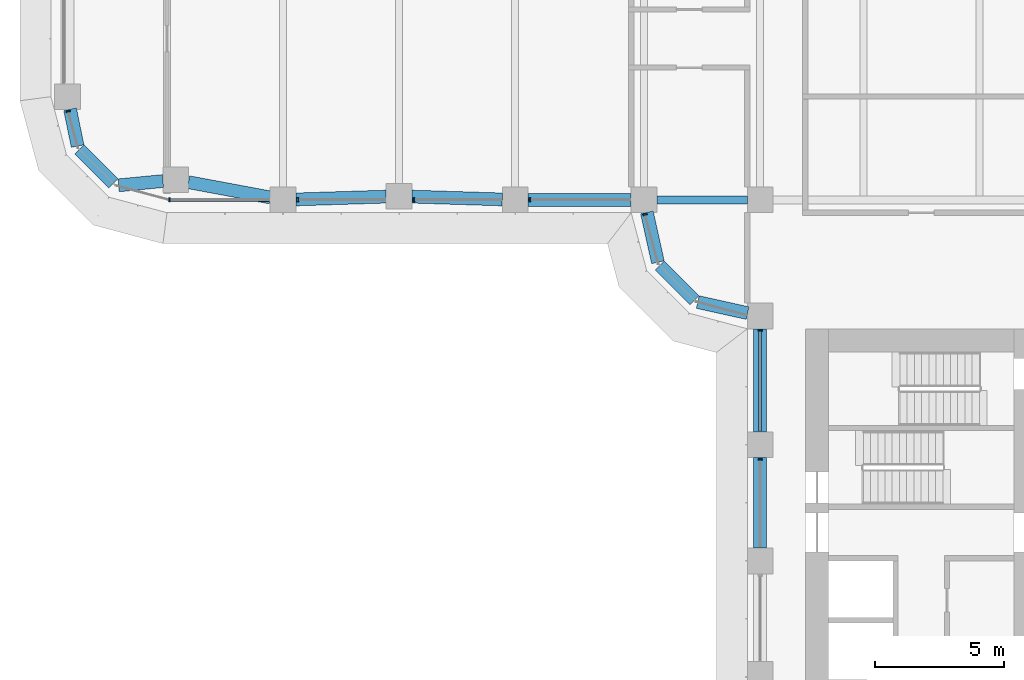
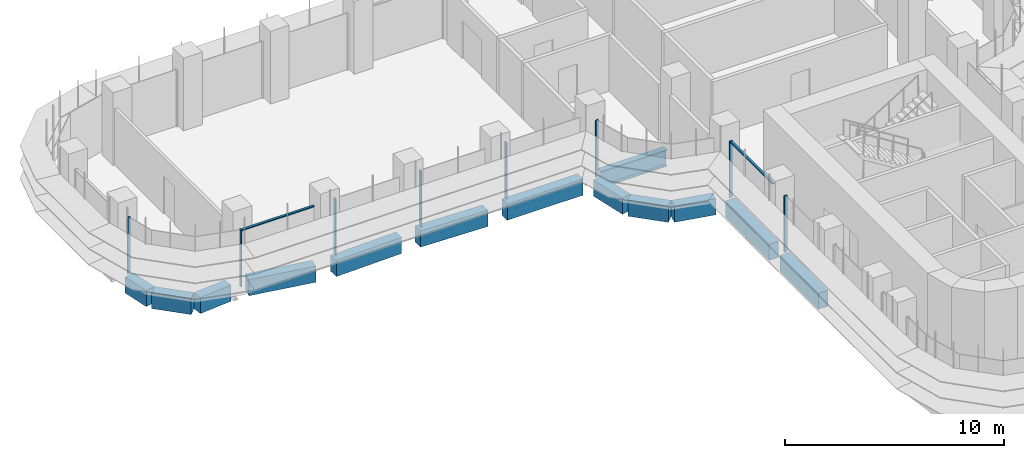
# One storey, part 3 of 23: 13 beams, 10 members, 4 elements without a shape of their own.
"""IFC4 building model written with IfcOpenShell, lengths in metres."""

from ifc_helpers import new_model, si_unit, direction, frame, origin, origin_2d, place, context, subcontext, project, spatial, polyline, rectangle, i_section, outline, extrude, source, transform, mapped, material, material_profile, profile_set, type_object, element, aggregate, save


model = new_model("IFC4")

# Units and contexts
model_context = context("Model", 3, precision=1e-05, world=origin(), true_north=direction((0.0, 1.0)))
body_context = subcontext(model_context, "Body", "Model", "MODEL_VIEW")
ifc_project = project(units=[si_unit("LENGTHUNIT", "METRE"), si_unit("AREAUNIT", "SQUARE_METRE"), si_unit("VOLUMEUNIT", "CUBIC_METRE"), si_unit("PLANEANGLEUNIT", "RADIAN"), si_unit("MASSUNIT", "GRAM", prefix="KILO")], contexts=[model_context])

# Site, building, storey
site_placement = place(None, origin())
site = spatial("IfcSite", under=ifc_project, at=site_placement, CompositionType="ELEMENT")
building_placement = place(site_placement, origin())
building = spatial("IfcBuilding", under=site, at=building_placement, Name="Zarbagh Exchange Tower", CompositionType="ELEMENT")
storey_placement = place(building_placement, frame((0.0, 0.0, 73.199951171875)))
storey = spatial("IfcBuildingStorey", under=building, at=storey_placement, Name="L16", CompositionType="ELEMENT", Elevation=73.199951171875)

# Beams
ifc_material_1 = material(Name="Steel ASTM A992 Gr 50", Category="steel")
ifc_material_profile_1 = material_profile(ifc_material_1, i_section(OverallWidth=0.3046875, OverallDepth=0.91943359375, WebThickness=0.017333984375, FlangeThickness=0.02783203125, at=origin_2d()), Name="W36X170")
ifc_profile_set_1 = profile_set([ifc_material_profile_1], Name="Steel ASTM A992 Gr 50")
beam_type_1 = type_object("IfcBeamType", Name="Floor girder W36X170", PredefinedType="BEAM", material=ifc_profile_set_1)
beam_1_placement = place(storey_placement, frame((-10.25, -6.25, -0.609619140625), z_axis=(1.0, 0.0, 0.0), x_axis=(0.0, 1.0, 0.0)))
element("IfcBeam", 1, at=beam_1_placement, inside=storey, type_object=beam_type_1, Name="Steel girder", PredefinedType="BEAM", context=body_context, shape_type="SweptSolid", body=[
    extrude(i_section(OverallWidth=0.3046875, OverallDepth=0.91943359375, WebThickness=0.017333984375, FlangeThickness=0.02783203125, at=origin_2d()), origin(), (0.0, 0.0, 1.0), 3.5),
])
ifc_material_2 = material(Name="Concrete C60/75", Category="concrete")
ifc_material_profile_2 = material_profile(ifc_material_2, rectangle(XDim=0.5, YDim=0.89990234375, at=origin_2d()), Name="RC spandrel beam 500 x 900 C60/75")
ifc_profile_set_2 = profile_set([ifc_material_profile_2], Name="Concrete C60/75")
beam_type_2 = type_object("IfcBeamType", Name="RC spandrel beam 500 x 900 C60/75", PredefinedType="SPANDREL", material=ifc_profile_set_2)
beam_2_placement = place(storey_placement, frame((-6.25, -19.75, -0.599853515625), z_axis=(0.0, 1.0, 0.0), x_axis=(-1.0, 0.0, 0.0)))
element("IfcBeam", 2, at=beam_2_placement, inside=storey, type_object=beam_type_2, Name="RC spandrel beam", PredefinedType="SPANDREL", context=body_context, shape_type="SweptSolid", body=[
    extrude(rectangle(XDim=0.5, YDim=0.89990234375, at=origin_2d()), origin(), (0.0, 0.0, 1.0), 3.5),
])
beam_3_placement = place(storey_placement, frame((-6.25, -15.25, -0.599853515625), z_axis=(0.0, 1.0, 0.0), x_axis=(-1.0, 0.0, 0.0)))
element("IfcBeam", 3, at=beam_3_placement, inside=storey, type_object=beam_type_2, Name="RC spandrel beam", PredefinedType="SPANDREL", context=body_context, shape_type="SweptSolid", body=[
    extrude(rectangle(XDim=0.5, YDim=0.89990234375, at=origin_2d()), origin(), (0.0, 0.0, 1.0), 4.0),
])
beam_4_placement = place(storey_placement, frame((-6.73828125, -10.64208984375, -0.599853515625), z_axis=(-0.976375426825, 0.216081063242, 0.0), x_axis=(-0.216081063242, -0.976375426825, 0.0)))
element("IfcBeam", 4, at=beam_4_placement, inside=storey, type_object=beam_type_2, Name="RC spandrel beam", PredefinedType="SPANDREL", context=body_context, shape_type="SweptSolid", body=[
    extrude(rectangle(XDim=0.5, YDim=0.89990234375, at=origin_2d()), origin(), (0.0, 0.0, 1.0), 1.978271484375),
])
beam_5_placement = place(storey_placement, frame((-8.792724609375, -10.147216796875, -0.599853515625), z_axis=(-0.707106781187, 0.707106781187, 0.0), x_axis=(-0.707106781187, -0.707106781187, 0.0)))
element("IfcBeam", 5, at=beam_5_placement, inside=storey, type_object=beam_type_2, Name="RC spandrel beam", PredefinedType="SPANDREL", context=body_context, shape_type="SweptSolid", body=[
    extrude(rectangle(XDim=0.5, YDim=0.89990234375, at=origin_2d()), origin(), (0.0, 0.0, 1.0), 1.91552734375),
])
beam_6_placement = place(storey_placement, frame((-10.214599609375, -8.669921875, -0.599853515625), z_axis=(-0.216081063242, 0.976375426825, 0.0), x_axis=(-0.976375426825, -0.216081063242, 0.0)))
element("IfcBeam", 6, at=beam_6_placement, inside=storey, type_object=beam_type_2, Name="RC spandrel beam", PredefinedType="SPANDREL", context=body_context, shape_type="SweptSolid", body=[
    extrude(rectangle(XDim=0.5, YDim=0.89990234375, at=origin_2d()), origin(), (0.0, 0.0, 1.0), 1.978271484375),
])
beam_7_placement = place(storey_placement, frame((-11.25, -6.25, -0.599853515625), z_axis=(-1.0, 0.0, 0.0), x_axis=(0.0, -1.0, 0.0)))
element("IfcBeam", 7, at=beam_7_placement, inside=storey, type_object=beam_type_2, Name="RC spandrel beam", PredefinedType="SPANDREL", context=body_context, shape_type="SweptSolid", body=[
    extrude(rectangle(XDim=0.5, YDim=0.89990234375, at=origin_2d()), origin(), (0.0, 0.0, 1.0), 4.0),
])
for number, where, z_axis, x_axis, name in (
    (8, (-16.249755859375, -6.234619140625, -0.599853515625), (-0.999514385708, 0.031160756759, 0.0), (-0.031160756759, -0.999514385708, 0.0), "RC spandrel beam"),
    (9, (-20.749755859375, -6.12548828125, -0.599853515625), (-0.999514385708, -0.031160756759, 0.0), (0.031160756759, -0.999514385708, 0.0), "RC spandrel beam"),
):
    element("IfcBeam", number, at=place(storey_placement, frame(where, z_axis=z_axis, x_axis=x_axis)), inside=storey, type_object=beam_type_2, Name=name, PredefinedType="SPANDREL", context=body_context, shape_type="SweptSolid", body=[
        extrude(rectangle(XDim=0.5, YDim=0.89990234375, at=origin_2d()), origin(), (0.0, 0.0, 1.0), 3.502197265625),
    ])
beam_8_placement = place(storey_placement, frame((-25.241455078125, -6.158447265625, -0.599853515625), z_axis=(-0.983069300761, 0.183234139565, 0.0), x_axis=(-0.183234139565, -0.983069300761, 0.0)))
element("IfcBeam", 10, at=beam_8_placement, inside=storey, type_object=beam_type_2, Name="RC spandrel beam", PredefinedType="SPANDREL", context=body_context, shape_type="SweptSolid", body=[
    extrude(rectangle(XDim=0.5, YDim=0.89990234375, at=origin_2d()), origin(), (0.0, 0.0, 1.0), 3.229736328125),
])
beam_9_placement = place(storey_placement, frame((-29.40576171875, -5.522705078125, -0.599853515625), z_axis=(-0.995431032456, -0.095483294999, 0.0), x_axis=(0.095483294999, -0.995431032456, 0.0)))
element("IfcBeam", 11, at=beam_9_placement, inside=storey, type_object=beam_type_2, Name="RC spandrel beam", PredefinedType="SPANDREL", context=body_context, shape_type="SweptSolid", body=[
    extrude(rectangle(XDim=0.5, YDim=0.89990234375, at=origin_2d()), origin(), (0.0, 0.0, 1.0), 1.725830078125),
])
beam_10_placement = place(storey_placement, frame((-31.324462890625, -5.615478515625, -0.599853515625), z_axis=(-0.707172099812, 0.707041456527, 0.0), x_axis=(-0.707041456527, -0.707172099812, 0.0)))
element("IfcBeam", 12, at=beam_10_placement, inside=storey, type_object=beam_type_2, Name="RC spandrel beam", PredefinedType="SPANDREL", context=body_context, shape_type="SweptSolid", body=[
    extrude(rectangle(XDim=0.5, YDim=0.89990234375, at=origin_2d()), origin(), (0.0, 0.0, 1.0), 1.86865234375),
])
beam_11_placement = place(storey_placement, frame((-32.714111328125, -4.16796875, -0.599853515625), z_axis=(-0.202068589164, 0.9793713725, 0.0), x_axis=(-0.9793713725, -0.202068589164, 0.0)))
element("IfcBeam", 13, at=beam_11_placement, inside=storey, type_object=beam_type_2, Name="RC spandrel beam", PredefinedType="SPANDREL", context=body_context, shape_type="SweptSolid", body=[
    extrude(rectangle(XDim=0.5, YDim=0.89990234375, at=origin_2d()), origin(), (0.0, 0.0, 1.0), 1.458251953125),
])

# Curtain wall, member
ifc_material_3 = material(Name="Anodised aluminium frame and glazing", Category="aluminium")
curtain_wall_type = type_object("IfcCurtainWallType", Name="CWA Ribbon glazing, lower zones", PredefinedType="NOTDEFINED", material=ifc_material_3)
curtain_wall_1_placement = place(storey_placement, origin())
curtain_wall_1 = element("IfcCurtainWall", 14, at=curtain_wall_1_placement, inside=storey, type_object=curtain_wall_type, Name="CWA37 curtain wall", PredefinedType="NOTDEFINED")
ifc_material_4 = material(Name="Anodised aluminium frame", Category="aluminium")
member_type_1 = type_object("IfcMemberType", Name="MUA Mullion, anodised aluminium frame", PredefinedType="MULLION", material=ifc_material_4)
shared_shape_1 = source(origin(), body_context, "Body", "SweptSolid", [
    extrude(outline(polyline([(0.0, -0.080078125), (0.06005859375, -0.080078125), (0.06005859375, 0.080078125), (0.0, 0.080078125), (0.0, -0.080078125)])), origin(), (0.0, 0.0, 1.0), 3.14990234375),
])
placement = place(storey_placement, origin())
member_1 = element("IfcMember", 15, at=placement, type_object=member_type_1, Name="CWA37 mullion 1.1", PredefinedType="MULLION", context=body_context, shape_type="MappedRepresentation", body=[
    mapped(shared_shape_1, transform((-33.087646484375, -2.7900390625, 0.0), x_axis=(0.258824779902, -0.965924289636, 0.0), y_axis=(0.965924289636, 0.258824779902, 0.0), z_axis=(0.0, 0.0, 1.0))),
])
aggregate(curtain_wall_1, [member_1])

# Curtain wall, members
curtain_wall_2_placement = place(storey_placement, origin())
curtain_wall_2 = element("IfcCurtainWall", 16, at=curtain_wall_2_placement, inside=storey, type_object=curtain_wall_type, Name="CWA40 curtain wall", PredefinedType="NOTDEFINED")
member_2 = element("IfcMember", 17, at=placement, type_object=member_type_1, Name="CWA40 mullion 1.1", PredefinedType="MULLION", context=body_context, shape_type="MappedRepresentation", body=[
    mapped(shared_shape_1, transform((-29.18408203125, -6.25, 0.0), x_axis=(1.0, 0.0, 0.0), y_axis=(0.0, 1.0, 0.0), z_axis=(0.0, 0.0, 1.0))),
])
member_3 = element("IfcMember", 18, at=placement, type_object=member_type_1, Name="CWA40 mullion 2.1", PredefinedType="MULLION", context=body_context, shape_type="MappedRepresentation", body=[
    mapped(shared_shape_1, transform((-24.2099609375, -6.25, 0.0), x_axis=(1.0, 0.0, 0.0), y_axis=(0.0, 1.0, 0.0), z_axis=(0.0, 0.0, 1.0))),
])
member_4 = element("IfcMember", 19, at=placement, type_object=member_type_1, Name="CWA40 mullion 3.1", PredefinedType="MULLION", context=body_context, shape_type="MappedRepresentation", body=[
    mapped(shared_shape_1, transform((-19.7099609375, -6.25, 0.0), x_axis=(1.0, 0.0, 0.0), y_axis=(0.0, 1.0, 0.0), z_axis=(0.0, 0.0, 1.0))),
])
member_5 = element("IfcMember", 20, at=placement, type_object=member_type_1, Name="CWA40 mullion 4.1", PredefinedType="MULLION", context=body_context, shape_type="MappedRepresentation", body=[
    mapped(shared_shape_1, transform((-15.2099609375, -6.25, 0.0), x_axis=(1.0, 0.0, 0.0), y_axis=(0.0, 1.0, 0.0), z_axis=(0.0, 0.0, 1.0))),
])

# Curtain wall, member
curtain_wall_3_placement = place(storey_placement, origin())
curtain_wall_3 = element("IfcCurtainWall", 21, at=curtain_wall_3_placement, inside=storey, type_object=curtain_wall_type, Name="CWA41 curtain wall", PredefinedType="NOTDEFINED")
member_6 = element("IfcMember", 22, at=placement, type_object=member_type_1, Name="CWA41 mullion 1.1", PredefinedType="MULLION", context=body_context, shape_type="MappedRepresentation", body=[
    mapped(shared_shape_1, transform((-10.7216796875, -6.7900390625, 0.0), x_axis=(0.258824779902, -0.965924289636, 0.0), y_axis=(0.965924289636, 0.258824779902, 0.0), z_axis=(0.0, 0.0, 1.0))),
])
aggregate(curtain_wall_3, [member_6])

# Curtain wall, members
curtain_wall_4_placement = place(storey_placement, origin())
curtain_wall_4 = element("IfcCurtainWall", 23, at=curtain_wall_4_placement, inside=storey, type_object=curtain_wall_type, Name="CWA44 curtain wall", PredefinedType="NOTDEFINED")
member_7 = element("IfcMember", 24, at=placement, type_object=member_type_1, Name="CWA44 mullion 1.1", PredefinedType="MULLION", context=body_context, shape_type="MappedRepresentation", body=[
    mapped(shared_shape_1, transform((-6.25, -11.2900390625, 0.0), x_axis=(0.0, -1.0, 0.0), y_axis=(1.0, 0.0, 0.0), z_axis=(0.0, 0.0, 1.0))),
])
member_8 = element("IfcMember", 25, at=placement, type_object=member_type_1, Name="CWA44 mullion 2.1", PredefinedType="MULLION", context=body_context, shape_type="MappedRepresentation", body=[
    mapped(shared_shape_1, transform((-6.25, -16.2900390625, 0.0), x_axis=(0.0, -1.0, 0.0), y_axis=(1.0, 0.0, 0.0), z_axis=(0.0, 0.0, 1.0))),
])
member_type_2 = type_object("IfcMemberType", Name="TRA Transom, anodised aluminium frame", PredefinedType="USERDEFINED", material=ifc_material_4)
shared_shape_2 = source(origin(), body_context, "Body", "SweptSolid", [
    extrude(outline(polyline([(-0.06005859375, -0.06005859375), (0.0, -0.06005859375), (0.0, 0.06005859375), (-0.06005859375, 0.06005859375), (-0.06005859375, -0.06005859375)])), origin(), (0.0, 0.0, 1.0), 3.860107421875),
])
member_9 = element("IfcMember", 26, at=placement, type_object=member_type_2, Name="CWA44 transom 1.1", ObjectType="TRANSOM", PredefinedType="USERDEFINED", context=body_context, shape_type="MappedRepresentation", body=[
    mapped(shared_shape_2, transform((-6.25, -11.35009765625, 3.150146484375), x_axis=(0.0, 0.0, 1.0), y_axis=(-1.0, 0.0, 0.0), z_axis=(0.0, -1.0, 0.0))),
])
aggregate(curtain_wall_4, [member_7, member_9, member_8])

# Member
shared_shape_3 = source(origin(), body_context, "Body", "SweptSolid", [
    extrude(outline(polyline([(-0.06005859375, -0.06005859375), (0.0, -0.06005859375), (0.0, 0.06005859375), (-0.06005859375, 0.06005859375), (-0.06005859375, -0.06005859375)])), origin(), (0.0, 0.0, 1.0), 3.834228515625),
])
member_10 = element("IfcMember", 27, at=placement, type_object=member_type_2, Name="CWA40 transom 1.1", ObjectType="TRANSOM", PredefinedType="USERDEFINED", context=body_context, shape_type="MappedRepresentation", body=[
    mapped(shared_shape_3, transform((-29.124267578125, -6.25, 3.150146484375), x_axis=(0.0, 0.0, 1.0), y_axis=(0.0, -1.0, 0.0), z_axis=(1.0, 0.0, 0.0))),
])

aggregate(curtain_wall_2, [member_2, member_10, member_3, member_4, member_5])

save(model, "model.ifc")
